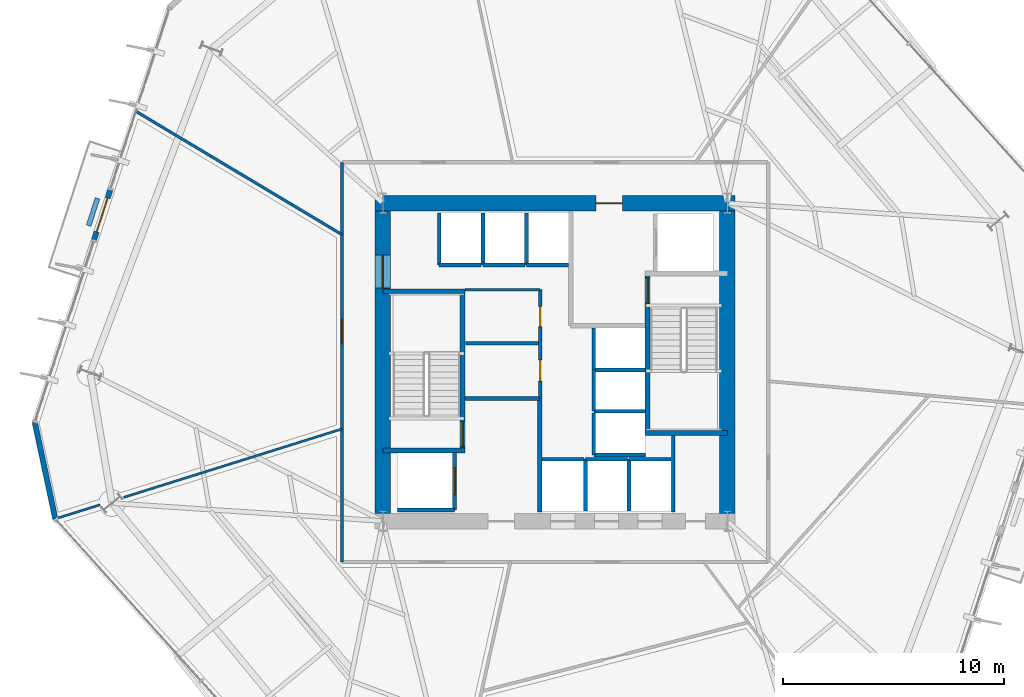
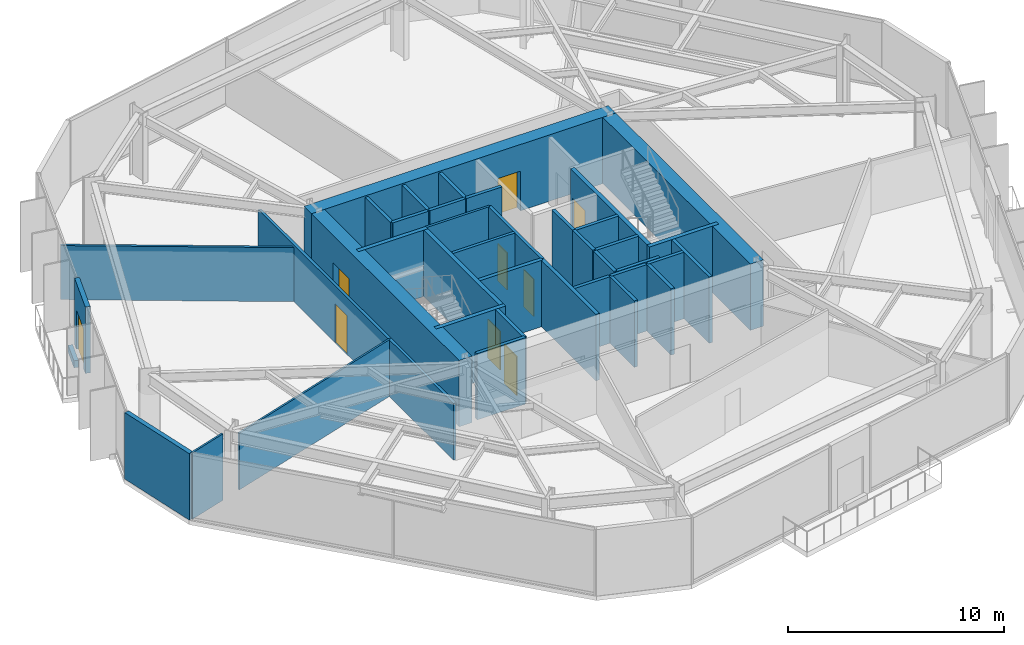
# One storey, part 6 of 10: 40 walls, 9 doors, 9 openings.
"""IFC4 building model written with IfcOpenShell, lengths in metres."""

from ifc_helpers import new_model, si_unit, direction, frame, frame_2d, origin, place, context, subcontext, project, spatial, rectangle, extrude, material, layer, layer_set, type_object, element, fill, save


model = new_model("IFC4")

# Units and contexts
model_context = context("Model", 3, precision=1e-05, world=origin(), true_north=direction((0.0, 1.0)))
body_context = subcontext(model_context, "Body", "Model", "MODEL_VIEW")
ifc_project = project(units=[si_unit("LENGTHUNIT", "METRE"), si_unit("AREAUNIT", "SQUARE_METRE"), si_unit("VOLUMEUNIT", "CUBIC_METRE"), si_unit("PLANEANGLEUNIT", "RADIAN"), si_unit("MASSUNIT", "GRAM", prefix="KILO")], contexts=[model_context])

# Site, building, storey
site_placement = place(None, origin())
site = spatial("IfcSite", under=ifc_project, at=site_placement, CompositionType="ELEMENT")
building_placement = place(site_placement, origin())
building = spatial("IfcBuilding", under=site, at=building_placement, Name="Kranzbogen Civic Tower", CompositionType="ELEMENT")
storey_placement = place(building_placement, frame((0.0, 0.0, 68.0)))
storey = spatial("IfcBuildingStorey", under=building, at=storey_placement, Name="L16", CompositionType="ELEMENT", Elevation=68.0)

# Wall, opening, door
ifc_material_1 = material(Name="Double-Stud Acoustic Gypsum Partition")
ifc_layer_1 = layer(ifc_material_1, 0.14990234375, Name="Double-Stud Acoustic Gypsum Partition")
ifc_layer_set_1 = layer_set([ifc_layer_1], Name="Double-Stud Acoustic Gypsum Partition")
wall_type_1 = type_object("IfcWallType", Name="Acoustic Corridor and Clinical Partition 150 mm", PredefinedType="PARTITIONING", material=ifc_layer_set_1)
wall_1_placement = place(storey_placement, frame((15.35009765625, 15.949951171875, 0.0), z_axis=(0.0, 0.0, 1.0), x_axis=(0.0, 1.0, 0.0)))
wall_1 = element("IfcWall", 1, at=wall_1_placement, inside=storey, type_object=wall_type_1, Name="L16 corridor partition 04", PredefinedType="PARTITIONING", context=body_context, shape_type="SweptSolid", body=[
    extrude(rectangle(XDim=18.10009765625, YDim=0.14990234375, at=frame_2d((9.050048828125, 0.0))), origin(), (0.0, 0.0, 1.0), 3.2099609375),
])
opening_1_placement = place(wall_1_placement, frame((9.885986328125, 0.0, 0.0)))
opening_1 = element("IfcOpeningElement", 2, at=opening_1_placement, cuts=wall_1, Name="Opening D-COR60", PredefinedType="OPENING", context=body_context, shape_type="SweptSolid", body=[
    extrude(rectangle(XDim=1.10009765625, YDim=2.199951171875, at=frame_2d((0.550048828125, 1.10009765625))), frame((0.0, 0.0849609375, 0.0), z_axis=(0.0, -1.0, 0.0), x_axis=(1.0, 0.0, 0.0)), (0.0, 0.0, 1.0), 0.169921875),
])
ifc_material_2 = material(Name="Oak Timber and Fire Core", Category="wood")
door_type_1 = type_object("IfcDoorType", Name="Corridor Acoustic Fire Door 1100x2200", OperationType="NOTDEFINED", PredefinedType="DOOR", material=ifc_material_2)
door_1_placement = place(opening_1_placement, origin())
door_1 = element("IfcDoor", 3, at=door_1_placement, inside=storey, type_object=door_type_1, Name="L16 Civic Reference Library door", OperationType="SINGLE_SWING_LEFT", OverallHeight=2.199951171875, OverallWidth=1.10009765625, PredefinedType="DOOR", context=body_context, shape_type="SweptSolid", body=[
    extrude(rectangle(XDim=1.10009765625, YDim=2.199951171875, at=frame_2d((0.550048828125, 1.10009765625))), frame((0.0, 0.02490234375, 0.0), z_axis=(0.0, -1.0, 0.0), x_axis=(1.0, 0.0, 0.0)), (0.0, 0.0, 1.0), 0.050048828125),
])
fill(opening_1, door_1)

# Walls
ifc_material_3 = material(Name="Insulated Metal-Stud Gypsum Partition")
ifc_layer_2 = layer(ifc_material_3, 0.125, Name="Insulated Metal-Stud Gypsum Partition")
ifc_layer_set_2 = layer_set([ifc_layer_2], Name="Insulated Metal-Stud Gypsum Partition")
wall_type_2 = type_object("IfcWallType", Name="Acoustic Inter-Room Partition 125 mm", PredefinedType="PARTITIONING", material=ifc_layer_set_2)
wall_2_placement = place(storey_placement, frame((20.919921875, 28.280029296875, 0.0), z_axis=(0.0, 0.0, 1.0), x_axis=(1.0, 0.0, 0.0)))
element("IfcWall", 4, at=wall_2_placement, inside=storey, type_object=wall_type_2, Name="L16 core auxiliary North wall", PredefinedType="PARTITIONING", context=body_context, shape_type="SweptSolid", body=[
    extrude(rectangle(XDim=3.405029296875, YDim=0.125, at=frame_2d((1.70263671875, 0.0))), origin(), (0.0, 0.0, 1.0), 3.760009765625),
])
wall_3_placement = place(storey_placement, frame((15.35009765625, 30.77294921875, 0.0), z_axis=(0.0, 0.0, 1.0), x_axis=(-0.858205730497, 0.513305877759, 0.0)))
element("IfcWall", 5, at=wall_3_placement, inside=storey, type_object=wall_type_2, Name="L16 radial room partition 03", PredefinedType="PARTITIONING", context=body_context, shape_type="SweptSolid", body=[
    extrude(rectangle(XDim=10.866943359375, YDim=0.125, at=frame_2d((5.43359375, 0.0))), origin(), (0.0, 0.0, 1.0), 3.06005859375),
])
ifc_material_4 = material(Name="Architectural Precast Terracotta Concrete C40/50", Category="masonry")
ifc_layer_3 = layer(ifc_material_4, 0.219970703125, Name="Architectural Precast Terracotta Concrete C40/50")
ifc_layer_set_3 = layer_set([ifc_layer_3], Name="Architectural Precast Terracotta Concrete C40/50")
wall_type_3 = type_object("IfcWallType", Name="Architectural Tree Planter Kerb Wall 220 mm", PredefinedType="USERDEFINED", material=ifc_layer_set_3)
wall_4_placement = place(storey_placement, frame((4.27294921875, 32.41796875, 0.0), z_axis=(0.0, 0.0, 1.0), x_axis=(-0.309175263073, -0.951005077118, 0.0)))
element("IfcWall", 6, at=wall_4_placement, inside=storey, type_object=wall_type_3, Name="L16 landscaped tree balcony planter L16-TB1", ObjectType="PLANTER_WALL", PredefinedType="USERDEFINED", context=body_context, shape_type="SweptSolid", body=[
    extrude(rectangle(XDim=1.2998046875, YDim=0.219970703125, at=frame_2d((0.64990234375, 0.0))), origin(), (0.0, 0.0, 1.0), 0.39990234375),
])

# Wall, opening, door
ifc_material_5 = material(Name="Concrete C55/67", Category="concrete")
ifc_layer_4 = layer(ifc_material_5, 0.699951171875, Name="Concrete C55/67")
ifc_layer_set_4 = layer_set([ifc_layer_4], Name="Concrete C55/67")
wall_type_4 = type_object("IfcWallType", Name="Central Core Shear Wall 700 mm", PredefinedType="SHEAR", material=ifc_layer_set_4)
wall_5_placement = place(storey_placement, frame((33.14990234375, 32.199951171875, 0.0), z_axis=(0.0, 0.0, 1.0), x_axis=(-1.0, 0.0, 0.0)))
wall_5 = element("IfcWall", 7, at=wall_5_placement, inside=storey, type_object=wall_type_4, Name="L16 central core North shear wall", PredefinedType="SHEAR", context=body_context, shape_type="SweptSolid", body=[
    extrude(rectangle(XDim=16.2998046875, YDim=0.699951171875, at=frame_2d((8.14990234375, 0.0))), origin(), (0.0, 0.0, 1.0), 3.760009765625),
])
opening_2_placement = place(wall_5_placement, frame((5.10009765625, 0.0, 0.0)))
opening_2 = element("IfcOpeningElement", 8, at=opening_2_placement, cuts=wall_5, Name="Opening D-EX120", PredefinedType="OPENING", context=body_context, shape_type="SweptSolid", body=[
    extrude(rectangle(XDim=1.199951171875, YDim=2.25, at=frame_2d((0.60009765625, 1.125))), frame((0.0, 0.35986328125, 0.0), z_axis=(0.0, -1.0, 0.0), x_axis=(1.0, 0.0, 0.0)), (0.0, 0.0, 1.0), 0.719970703125),
])
ifc_material_6 = material(Name="Steel S355", Category="steel")
door_type_2 = type_object("IfcDoorType", Name="Exit Passageway Fire Door 1200x2250", OperationType="NOTDEFINED", PredefinedType="DOOR", material=ifc_material_6)
door_2_placement = place(opening_2_placement, origin())
door_2 = element("IfcDoor", 9, at=door_2_placement, inside=storey, type_object=door_type_2, Name="L16 East firefighting lobby corridor door", OperationType="SINGLE_SWING_LEFT", OverallHeight=2.25, OverallWidth=1.199951171875, PredefinedType="DOOR", context=body_context, shape_type="SweptSolid", body=[
    extrude(rectangle(XDim=1.199951171875, YDim=2.25, at=frame_2d((0.60009765625, 1.125))), frame((0.0, 0.02490234375, 0.0), z_axis=(0.0, -1.0, 0.0), x_axis=(1.0, 0.0, 0.0)), (0.0, 0.0, 1.0), 0.050048828125),
])
fill(opening_2, door_2)

wall_6_placement = place(storey_placement, frame((17.199951171875, 31.85009765625, 0.0), z_axis=(0.0, 0.0, 1.0), x_axis=(0.0, -1.0, 0.0)))
wall_6 = element("IfcWall", 10, at=wall_6_placement, inside=storey, type_object=wall_type_4, Name="L16 central core West shear wall", PredefinedType="SHEAR", context=body_context, shape_type="SweptSolid", body=[
    extrude(rectangle(XDim=13.7001953125, YDim=0.699951171875, at=frame_2d((6.85009765625, 0.0))), origin(), (0.0, 0.0, 1.0), 3.760009765625),
])
opening_3_placement = place(wall_6_placement, frame((2.0, 0.0, 0.0)))
opening_3 = element("IfcOpeningElement", 11, at=opening_3_placement, cuts=wall_6, Name="Opening D-DBL15", PredefinedType="OPENING", context=body_context, shape_type="SweptSolid", body=[
    extrude(rectangle(XDim=1.5, YDim=2.199951171875, at=frame_2d((0.75, 1.10009765625))), frame((0.0, 0.35986328125, 0.0), z_axis=(0.0, -1.0, 0.0), x_axis=(1.0, 0.0, 0.0)), (0.0, 0.0, 1.0), 0.719970703125),
])
ifc_material_7 = material(Name="Anodised Bronze and Glass", Category="glass")
door_type_3 = type_object("IfcDoorType", Name="Civic Lobby Double Door 1500x2200", OperationType="DOUBLE_DOOR_SINGLE_SWING", PredefinedType="DOOR", material=ifc_material_7)
door_3_placement = place(opening_3_placement, origin())
door_3 = element("IfcDoor", 12, at=door_3_placement, inside=storey, type_object=door_type_3, Name="L16 Central Lift Lobby West concourse door", OperationType="DOUBLE_DOOR_SINGLE_SWING", OverallHeight=2.199951171875, OverallWidth=1.5, PredefinedType="DOOR", context=body_context, shape_type="SweptSolid", body=[
    extrude(rectangle(XDim=1.5, YDim=2.199951171875, at=frame_2d((0.75, 1.10009765625))), frame((0.0, 0.02490234375, 0.0), z_axis=(0.0, -1.0, 0.0), x_axis=(1.0, 0.0, 0.0)), (0.0, 0.0, 1.0), 0.050048828125),
])
fill(opening_3, door_3)

# Wall
wall_7_placement = place(storey_placement, frame((32.800048828125, 18.14990234375, 0.0), z_axis=(0.0, 0.0, 1.0), x_axis=(0.0, 1.0, 0.0)))
element("IfcWall", 13, at=wall_7_placement, inside=storey, type_object=wall_type_4, Name="L16 central core East shear wall", PredefinedType="SHEAR", context=body_context, shape_type="SweptSolid", body=[
    extrude(rectangle(XDim=13.7001953125, YDim=0.699951171875, at=frame_2d((6.85009765625, 0.0))), origin(), (0.0, 0.0, 1.0), 3.760009765625),
])

# Wall, opening, door
ifc_material_8 = material(Name="Concrete C45/55", Category="concrete")
ifc_layer_5 = layer(ifc_material_8, 0.219970703125, Name="Concrete C45/55")
ifc_layer_set_5 = layer_set([ifc_layer_5], Name="Concrete C45/55")
wall_type_5 = type_object("IfcWallType", Name="Core Internal Stair Structural Wall 220 mm", PredefinedType="SOLIDWALL", material=ifc_layer_set_5)
wall_8_placement = place(storey_placement, frame((20.81005859375, 20.989990234375, 0.0), z_axis=(0.0, 0.0, 1.0), x_axis=(0.0, 1.0, 0.0)))
wall_8 = element("IfcWall", 14, at=wall_8_placement, inside=storey, type_object=wall_type_5, Name="L16 ST-T1 East structural stair wall", PredefinedType="SOLIDWALL", context=body_context, shape_type="SweptSolid", body=[
    extrude(rectangle(XDim=7.219970703125, YDim=0.219970703125, at=frame_2d((3.60986328125, 0.0))), origin(), (0.0, 0.0, 1.0), 3.760009765625),
])
opening_4_placement = place(wall_8_placement, frame((0.179931640625, 0.0, 0.0)))
opening_4 = element("IfcOpeningElement", 15, at=opening_4_placement, cuts=wall_8, Name="Opening D-ST90", PredefinedType="OPENING", context=body_context, shape_type="SweptSolid", body=[
    extrude(rectangle(XDim=1.14990234375, YDim=2.199951171875, at=frame_2d((0.574951171875, 1.10009765625))), frame((0.0, 0.1201171875, 0.0), z_axis=(0.0, -1.0, 0.0), x_axis=(1.0, 0.0, 0.0)), (0.0, 0.0, 1.0), 0.239990234375),
])
door_type_4 = type_object("IfcDoorType", Name="Pressurized Stair and Lobby Fire Door 1150x2200", OperationType="NOTDEFINED", PredefinedType="DOOR", material=ifc_material_6)
door_4_placement = place(opening_4_placement, origin())
door_4 = element("IfcDoor", 16, at=door_4_placement, inside=storey, type_object=door_type_4, Name="L16 Stair ST-T1 fire door", OperationType="SINGLE_SWING_RIGHT", OverallHeight=2.199951171875, OverallWidth=1.14990234375, PredefinedType="DOOR", context=body_context, shape_type="SweptSolid", body=[
    extrude(rectangle(XDim=1.14990234375, YDim=2.199951171875, at=frame_2d((0.574951171875, 1.10009765625))), frame((0.0, 0.02490234375, 0.0), z_axis=(0.0, -1.0, 0.0), x_axis=(1.0, 0.0, 0.0)), (0.0, 0.0, 1.0), 0.050048828125),
])
fill(opening_4, door_4)

# Walls
for number, where, z_axis, x_axis, name in (
    (17, (17.199951171875, 20.989990234375, 0.0), (0.0, 0.0, 1.0), (1.0, 0.0, 0.0), "L16 ST-T1 South structural stair wall"),
    (18, (17.199951171875, 28.2099609375, 0.0), (0.0, 0.0, 1.0), (1.0, 0.0, 0.0), "L16 ST-T1 North structural stair wall"),
):
    element("IfcWall", number, at=place(storey_placement, frame(where, z_axis=z_axis, x_axis=x_axis)), inside=storey, type_object=wall_type_5, Name=name, PredefinedType="SOLIDWALL", context=body_context, shape_type="SweptSolid", body=[
        extrude(rectangle(XDim=3.719970703125, YDim=0.219970703125, at=frame_2d((1.85986328125, 0.0))), origin(), (0.0, 0.0, 1.0), 3.760009765625),
    ])

# Wall, opening, door
wall_9_placement = place(storey_placement, frame((29.18994140625, 21.7900390625, 0.0), z_axis=(0.0, 0.0, 1.0), x_axis=(0.0, 1.0, 0.0)))
wall_9 = element("IfcWall", 19, at=wall_9_placement, inside=storey, type_object=wall_type_5, Name="L16 ST-T2 West structural stair wall", PredefinedType="SOLIDWALL", context=body_context, shape_type="SweptSolid", body=[
    extrude(rectangle(XDim=7.219970703125, YDim=0.219970703125, at=frame_2d((3.60986328125, 0.0))), origin(), (0.0, 0.0, 1.0), 3.760009765625),
])
opening_5_placement = place(wall_9_placement, frame((5.8798828125, 0.0, 0.0)))
opening_5 = element("IfcOpeningElement", 20, at=opening_5_placement, cuts=wall_9, Name="Opening D-ST90", PredefinedType="OPENING", context=body_context, shape_type="SweptSolid", body=[
    extrude(rectangle(XDim=1.14990234375, YDim=2.199951171875, at=frame_2d((0.574951171875, 1.10009765625))), frame((0.0, 0.1201171875, 0.0), z_axis=(0.0, -1.0, 0.0), x_axis=(1.0, 0.0, 0.0)), (0.0, 0.0, 1.0), 0.239990234375),
])
door_5_placement = place(opening_5_placement, origin())
door_5 = element("IfcDoor", 21, at=door_5_placement, inside=storey, type_object=door_type_4, Name="L16 Stair ST-T2 fire door", OperationType="SINGLE_SWING_LEFT", OverallHeight=2.199951171875, OverallWidth=1.14990234375, PredefinedType="DOOR", context=body_context, shape_type="SweptSolid", body=[
    extrude(rectangle(XDim=1.14990234375, YDim=2.199951171875, at=frame_2d((0.574951171875, 1.10009765625))), frame((0.0, 0.02490234375, 0.0), z_axis=(0.0, -1.0, 0.0), x_axis=(1.0, 0.0, 0.0)), (0.0, 0.0, 1.0), 0.050048828125),
])
fill(opening_5, door_5)

# Walls
wall_10_placement = place(storey_placement, frame((29.080078125, 21.7900390625, 0.0), z_axis=(0.0, 0.0, 1.0), x_axis=(1.0, 0.0, 0.0)))
element("IfcWall", 22, at=wall_10_placement, inside=storey, type_object=wall_type_5, Name="L16 ST-T2 South structural stair wall", PredefinedType="SOLIDWALL", context=body_context, shape_type="SweptSolid", body=[
    extrude(rectangle(XDim=3.719970703125, YDim=0.219970703125, at=frame_2d((1.85986328125, 0.0))), origin(), (0.0, 0.0, 1.0), 3.760009765625),
])
ifc_material_9 = material(Name="Demountable Aluminium and Gypsum Partition", Category="aluminium")
ifc_layer_6 = layer(ifc_material_9, 0.10009765625, Name="Demountable Aluminium and Gypsum Partition")
ifc_layer_set_6 = layer_set([ifc_layer_6], Name="Demountable Aluminium and Gypsum Partition")
wall_type_6 = type_object("IfcWallType", Name="Demountable Office Partition 100 mm", PredefinedType="MOVABLE", material=ifc_layer_set_6)
wall_11_placement = place(storey_placement, frame((15.35009765625, 21.97412109375, 0.0), z_axis=(0.0, 0.0, 1.0), x_axis=(-0.954204822742, -0.299154067757, 0.0)))
element("IfcWall", 23, at=wall_11_placement, inside=storey, type_object=wall_type_6, Name="L16 radial room partition 04 part 1", PredefinedType="MOVABLE", context=body_context, shape_type="SweptSolid", body=[
    extrude(rectangle(XDim=10.3564453125, YDim=0.10009765625, at=frame_2d((5.17822265625, 0.0))), origin(), (0.0, 0.0, 1.0), 3.2099609375),
])
wall_12_placement = place(storey_placement, frame((4.387939453125, 18.537109375, 0.0), z_axis=(0.0, 0.0, 1.0), x_axis=(-0.954206927471, -0.299147354269, 0.0)))
element("IfcWall", 24, at=wall_12_placement, inside=storey, type_object=wall_type_6, Name="L16 radial room partition 04 part 2", PredefinedType="MOVABLE", context=body_context, shape_type="SweptSolid", body=[
    extrude(rectangle(XDim=2.10302734375, YDim=0.10009765625, at=frame_2d((1.051513671875, 0.0))), origin(), (0.0, 0.0, 1.0), 3.760009765625),
])
ifc_material_10 = material(Name="Gypsum Fireboard and Concrete Block", Category="concrete")
ifc_layer_7 = layer(ifc_material_10, 0.199951171875, Name="Gypsum Fireboard and Concrete Block")
ifc_layer_set_7 = layer_set([ifc_layer_7], Name="Gypsum Fireboard and Concrete Block")
wall_type_7 = type_object("IfcWallType", Name="Fire-Rated Exit Passageway and Stair Wall 200 mm", PredefinedType="PARTITIONING", material=ifc_layer_set_7)
wall_13_placement = place(storey_placement, frame((24.300048828125, 18.199951171875, 0.0), z_axis=(0.0, 0.0, 1.0), x_axis=(0.0, 1.0, 0.0)))
element("IfcWall", 25, at=wall_13_placement, inside=storey, type_object=wall_type_7, Name="L16 West firefighting lobby East wall", PredefinedType="PARTITIONING", context=body_context, shape_type="SweptSolid", body=[
    extrude(rectangle(XDim=5.150146484375, YDim=0.199951171875, at=frame_2d((2.5751953125, 0.0))), origin(), (0.0, 0.0, 1.0), 3.760009765625),
])
wall_14_placement = place(storey_placement, frame((20.919921875, 23.35009765625, 0.0), z_axis=(0.0, 0.0, 1.0), x_axis=(1.0, 0.0, 0.0)))
element("IfcWall", 26, at=wall_14_placement, inside=storey, type_object=wall_type_7, Name="L16 West firefighting lobby North wall", PredefinedType="PARTITIONING", context=body_context, shape_type="SweptSolid", body=[
    extrude(rectangle(XDim=3.380126953125, YDim=0.199951171875, at=frame_2d((1.68994140625, 0.0))), origin(), (0.0, 0.0, 1.0), 3.760009765625),
])
ifc_material_11 = material(Name="Gypsum Fireboard Shaftliner")
ifc_layer_8 = layer(ifc_material_11, 0.175048828125, Name="Gypsum Fireboard Shaftliner")
ifc_layer_set_8 = layer_set([ifc_layer_8], Name="Gypsum Fireboard Shaftliner")
wall_type_8 = type_object("IfcWallType", Name="Fire-Rated Lift and Service Shaft Wall 175 mm", PredefinedType="PARTITIONING", material=ifc_layer_set_8)
wall_15_placement = place(storey_placement, frame((30.35009765625, 18.199951171875, 0.0), z_axis=(0.0, 0.0, 1.0), x_axis=(0.0, 1.0, 0.0)))
element("IfcWall", 27, at=wall_15_placement, inside=storey, type_object=wall_type_8, Name="L16 East core riser West wall", PredefinedType="PARTITIONING", context=body_context, shape_type="SweptSolid", body=[
    extrude(rectangle(XDim=3.47998046875, YDim=0.175048828125, at=frame_2d((1.739990234375, 0.0))), origin(), (0.0, 0.0, 1.0), 3.760009765625),
])
wall_16_placement = place(storey_placement, frame((24.39990234375, 20.60009765625, 0.0), z_axis=(0.0, 0.0, 1.0), x_axis=(1.0, 0.0, 0.0)))
element("IfcWall", 28, at=wall_16_placement, inside=storey, type_object=wall_type_8, Name="L16 lift LP-01 rear wall", PredefinedType="PARTITIONING", context=body_context, shape_type="SweptSolid", body=[
    extrude(rectangle(XDim=1.900146484375, YDim=0.175048828125, at=frame_2d((0.9501953125, 0.0))), origin(), (0.0, 0.0, 1.0), 3.760009765625),
])
wall_17_placement = place(storey_placement, frame((26.375, 20.60009765625, 0.0), z_axis=(0.0, 0.0, 1.0), x_axis=(1.0, 0.0, 0.0)))
element("IfcWall", 29, at=wall_17_placement, inside=storey, type_object=wall_type_8, Name="L16 lift LP-02 rear wall", PredefinedType="PARTITIONING", context=body_context, shape_type="SweptSolid", body=[
    extrude(rectangle(XDim=1.89990234375, YDim=0.175048828125, at=frame_2d((0.949951171875, 0.0))), origin(), (0.0, 0.0, 1.0), 3.760009765625),
])
wall_18_placement = place(storey_placement, frame((26.375, 18.25, 0.0), z_axis=(0.0, 0.0, 1.0), x_axis=(0.0, 1.0, 0.0)))
element("IfcWall", 30, at=wall_18_placement, inside=storey, type_object=wall_type_8, Name="L16 lift LP-02 side wall", PredefinedType="PARTITIONING", context=body_context, shape_type="SweptSolid", body=[
    extrude(rectangle(XDim=2.35009765625, YDim=0.175048828125, at=frame_2d((1.175048828125, 0.0))), origin(), (0.0, 0.0, 1.0), 3.760009765625),
])
wall_19_placement = place(storey_placement, frame((28.35009765625, 20.60009765625, 0.0), z_axis=(0.0, 0.0, 1.0), x_axis=(1.0, 0.0, 0.0)))
element("IfcWall", 31, at=wall_19_placement, inside=storey, type_object=wall_type_8, Name="L16 lift LP-03 rear wall", PredefinedType="PARTITIONING", context=body_context, shape_type="SweptSolid", body=[
    extrude(rectangle(XDim=1.89990234375, YDim=0.175048828125, at=frame_2d((0.949951171875, 0.0))), origin(), (0.0, 0.0, 1.0), 3.760009765625),
])
wall_20_placement = place(storey_placement, frame((28.35009765625, 18.25, 0.0), z_axis=(0.0, 0.0, 1.0), x_axis=(0.0, 1.0, 0.0)))
element("IfcWall", 32, at=wall_20_placement, inside=storey, type_object=wall_type_8, Name="L16 lift LP-03 side wall", PredefinedType="PARTITIONING", context=body_context, shape_type="SweptSolid", body=[
    extrude(rectangle(XDim=2.35009765625, YDim=0.175048828125, at=frame_2d((1.175048828125, 0.0))), origin(), (0.0, 0.0, 1.0), 3.760009765625),
])
wall_21_placement = place(storey_placement, frame((19.75, 29.39990234375, 0.0), z_axis=(0.0, 0.0, 1.0), x_axis=(1.0, 0.0, 0.0)))
element("IfcWall", 33, at=wall_21_placement, inside=storey, type_object=wall_type_8, Name="L16 lift MP-01 rear wall", PredefinedType="PARTITIONING", context=body_context, shape_type="SweptSolid", body=[
    extrude(rectangle(XDim=1.89990234375, YDim=0.175048828125, at=frame_2d((0.949951171875, 0.0))), origin(), (0.0, 0.0, 1.0), 3.760009765625),
])
wall_22_placement = place(storey_placement, frame((19.75, 29.39990234375, 0.0), z_axis=(0.0, 0.0, 1.0), x_axis=(0.0, 1.0, 0.0)))
element("IfcWall", 34, at=wall_22_placement, inside=storey, type_object=wall_type_8, Name="L16 lift MP-01 side wall", PredefinedType="PARTITIONING", context=body_context, shape_type="SweptSolid", body=[
    extrude(rectangle(XDim=2.35009765625, YDim=0.175048828125, at=frame_2d((1.175048828125, 0.0))), origin(), (0.0, 0.0, 1.0), 3.760009765625),
])
wall_23_placement = place(storey_placement, frame((21.72509765625, 29.39990234375, 0.0), z_axis=(0.0, 0.0, 1.0), x_axis=(1.0, 0.0, 0.0)))
element("IfcWall", 35, at=wall_23_placement, inside=storey, type_object=wall_type_8, Name="L16 lift MP-02 rear wall", PredefinedType="PARTITIONING", context=body_context, shape_type="SweptSolid", body=[
    extrude(rectangle(XDim=1.89990234375, YDim=0.175048828125, at=frame_2d((0.949951171875, 0.0))), origin(), (0.0, 0.0, 1.0), 3.760009765625),
])
wall_24_placement = place(storey_placement, frame((21.72509765625, 29.39990234375, 0.0), z_axis=(0.0, 0.0, 1.0), x_axis=(0.0, 1.0, 0.0)))
element("IfcWall", 36, at=wall_24_placement, inside=storey, type_object=wall_type_8, Name="L16 lift MP-02 side wall", PredefinedType="PARTITIONING", context=body_context, shape_type="SweptSolid", body=[
    extrude(rectangle(XDim=2.35009765625, YDim=0.175048828125, at=frame_2d((1.175048828125, 0.0))), origin(), (0.0, 0.0, 1.0), 3.760009765625),
])
wall_25_placement = place(storey_placement, frame((23.699951171875, 29.39990234375, 0.0), z_axis=(0.0, 0.0, 1.0), x_axis=(1.0, 0.0, 0.0)))
element("IfcWall", 37, at=wall_25_placement, inside=storey, type_object=wall_type_8, Name="L16 lift MP-03 rear wall", PredefinedType="PARTITIONING", context=body_context, shape_type="SweptSolid", body=[
    extrude(rectangle(XDim=1.900146484375, YDim=0.175048828125, at=frame_2d((0.9501953125, 0.0))), origin(), (0.0, 0.0, 1.0), 3.760009765625),
])
wall_26_placement = place(storey_placement, frame((23.699951171875, 29.39990234375, 0.0), z_axis=(0.0, 0.0, 1.0), x_axis=(0.0, 1.0, 0.0)))
element("IfcWall", 38, at=wall_26_placement, inside=storey, type_object=wall_type_8, Name="L16 lift MP-03 side wall", PredefinedType="PARTITIONING", context=body_context, shape_type="SweptSolid", body=[
    extrude(rectangle(XDim=2.35009765625, YDim=0.175048828125, at=frame_2d((1.175048828125, 0.0))), origin(), (0.0, 0.0, 1.0), 3.760009765625),
])
wall_27_placement = place(storey_placement, frame((26.75, 20.800048828125, 0.0), z_axis=(0.0, 0.0, 1.0), x_axis=(0.0, 1.0, 0.0)))
element("IfcWall", 39, at=wall_27_placement, inside=storey, type_object=wall_type_8, Name="L16 lift HP-01 landing wall", PredefinedType="PARTITIONING", context=body_context, shape_type="SweptSolid", body=[
    extrude(rectangle(XDim=1.89990234375, YDim=0.175048828125, at=frame_2d((0.949951171875, 0.0))), origin(), (0.0, 0.0, 1.0), 3.760009765625),
])
wall_28_placement = place(storey_placement, frame((26.75, 20.800048828125, 0.0), z_axis=(0.0, 0.0, 1.0), x_axis=(1.0, 0.0, 0.0)))
element("IfcWall", 40, at=wall_28_placement, inside=storey, type_object=wall_type_8, Name="L16 lift HP-01 side wall", PredefinedType="PARTITIONING", context=body_context, shape_type="SweptSolid", body=[
    extrude(rectangle(XDim=2.35009765625, YDim=0.175048828125, at=frame_2d((1.175048828125, 0.0))), origin(), (0.0, 0.0, 1.0), 3.760009765625),
])
wall_29_placement = place(storey_placement, frame((26.75, 22.77490234375, 0.0), z_axis=(0.0, 0.0, 1.0), x_axis=(0.0, 1.0, 0.0)))
element("IfcWall", 41, at=wall_29_placement, inside=storey, type_object=wall_type_8, Name="L16 lift HP-02 landing wall", PredefinedType="PARTITIONING", context=body_context, shape_type="SweptSolid", body=[
    extrude(rectangle(XDim=1.900146484375, YDim=0.175048828125, at=frame_2d((0.9501953125, 0.0))), origin(), (0.0, 0.0, 1.0), 3.760009765625),
])
wall_30_placement = place(storey_placement, frame((26.75, 22.77490234375, 0.0), z_axis=(0.0, 0.0, 1.0), x_axis=(1.0, 0.0, 0.0)))
element("IfcWall", 42, at=wall_30_placement, inside=storey, type_object=wall_type_8, Name="L16 lift HP-02 side wall", PredefinedType="PARTITIONING", context=body_context, shape_type="SweptSolid", body=[
    extrude(rectangle(XDim=2.35009765625, YDim=0.175048828125, at=frame_2d((1.175048828125, 0.0))), origin(), (0.0, 0.0, 1.0), 3.760009765625),
])
wall_31_placement = place(storey_placement, frame((26.75, 24.64990234375, 0.0), z_axis=(0.0, 0.0, 1.0), x_axis=(0.0, 1.0, 0.0)))
element("IfcWall", 43, at=wall_31_placement, inside=storey, type_object=wall_type_8, Name="L16 lift HP-03 landing wall", PredefinedType="PARTITIONING", context=body_context, shape_type="SweptSolid", body=[
    extrude(rectangle(XDim=1.900146484375, YDim=0.175048828125, at=frame_2d((0.9501953125, 0.0))), origin(), (0.0, 0.0, 1.0), 3.760009765625),
])
wall_32_placement = place(storey_placement, frame((26.75, 24.64990234375, 0.0), z_axis=(0.0, 0.0, 1.0), x_axis=(1.0, 0.0, 0.0)))
element("IfcWall", 44, at=wall_32_placement, inside=storey, type_object=wall_type_8, Name="L16 lift HP-03 side wall", PredefinedType="PARTITIONING", context=body_context, shape_type="SweptSolid", body=[
    extrude(rectangle(XDim=2.35009765625, YDim=0.175048828125, at=frame_2d((1.175048828125, 0.0))), origin(), (0.0, 0.0, 1.0), 3.760009765625),
])

# Wall, opening, door
wall_33_placement = place(storey_placement, frame((20.449951171875, 18.300048828125, 0.0), z_axis=(0.0, 0.0, 1.0), x_axis=(0.0, 1.0, 0.0)))
wall_33 = element("IfcWall", 45, at=wall_33_placement, inside=storey, type_object=wall_type_8, Name="L16 lift FF-01 landing wall", PredefinedType="PARTITIONING", context=body_context, shape_type="SweptSolid", body=[
    extrude(rectangle(XDim=2.599853515625, YDim=0.175048828125, at=frame_2d((1.2998046875, 0.0))), origin(), (0.0, 0.0, 1.0), 3.760009765625),
])
opening_6_placement = place(wall_33_placement, frame((0.699951171875, 0.0, 0.0)))
opening_6 = element("IfcOpeningElement", 46, at=opening_6_placement, cuts=wall_33, Name="Opening LD-FF-01", PredefinedType="OPENING", context=body_context, shape_type="SweptSolid", body=[
    extrude(rectangle(XDim=1.199951171875, YDim=2.199951171875, at=frame_2d((0.60009765625, 1.10009765625))), frame((0.0, 0.09765625, 0.0), z_axis=(0.0, -1.0, 0.0), x_axis=(1.0, 0.0, 0.0)), (0.0, 0.0, 1.0), 0.195068359375),
])
ifc_material_12 = material(Name="Pale Anodised Aluminium", Category="aluminium")
door_type_5 = type_object("IfcDoorType", Name="Firefighting and Stretcher Lift Sliding Landing Door 1200x2200", OperationType="DOUBLE_DOOR_SLIDING", PredefinedType="DOOR", material=ifc_material_12)
door_6_placement = place(opening_6_placement, origin())
door_6 = element("IfcDoor", 47, at=door_6_placement, inside=storey, type_object=door_type_5, Name="L16 lift FF-01 sliding landing door", OperationType="DOUBLE_DOOR_SLIDING", OverallHeight=2.199951171875, OverallWidth=1.199951171875, PredefinedType="DOOR", context=body_context, shape_type="SweptSolid", body=[
    extrude(rectangle(XDim=1.199951171875, YDim=2.199951171875, at=frame_2d((0.60009765625, 1.10009765625))), frame((0.0, 0.02490234375, 0.0), z_axis=(0.0, -1.0, 0.0), x_axis=(1.0, 0.0, 0.0)), (0.0, 0.0, 1.0), 0.050048828125),
])
fill(opening_6, door_6)

# Wall
wall_34_placement = place(storey_placement, frame((17.85009765625, 18.300048828125, 0.0), z_axis=(0.0, 0.0, 1.0), x_axis=(1.0, 0.0, 0.0)))
element("IfcWall", 48, at=wall_34_placement, inside=storey, type_object=wall_type_8, Name="L16 lift FF-01 side wall", PredefinedType="PARTITIONING", context=body_context, shape_type="SweptSolid", body=[
    extrude(rectangle(XDim=2.599853515625, YDim=0.175048828125, at=frame_2d((1.2998046875, 0.0))), origin(), (0.0, 0.0, 1.0), 3.760009765625),
])

# Wall, opening, door
ifc_layer_9 = layer(ifc_material_12, 0.239990234375, Name="Pale Anodised Aluminium")
ifc_layer_set_9 = layer_set([ifc_layer_9], Name="Pale Anodised Aluminium")
wall_type_9 = type_object("IfcWallType", Name="Insulated Aluminium Facade Portal Wall 240 mm", PredefinedType="STANDARD", material=ifc_layer_set_9)
wall_35_placement = place(storey_placement, frame((4.85400390625, 32.80810546875, 0.0), z_axis=(0.0, 0.0, 1.0), x_axis=(-0.309049280464, -0.951046025303, 0.0)))
wall_35 = element("IfcWall", 49, at=wall_35_placement, inside=storey, type_object=wall_type_9, Name="L16 exterior entrance portal wall 1", PredefinedType="STANDARD", context=body_context, shape_type="SweptSolid", body=[
    extrude(rectangle(XDim=2.400634765625, YDim=0.239990234375, at=frame_2d((1.2001953125, 0.0))), origin(), (0.0, 0.0, 1.0), 3.760009765625),
])
opening_7_placement = place(wall_35_placement, frame((0.39990234375, 0.0, 0.0)))
opening_7 = element("IfcOpeningElement", 50, at=opening_7_placement, cuts=wall_35, Name="Opening D-TER", PredefinedType="OPENING", context=body_context, shape_type="SweptSolid", body=[
    extrude(rectangle(XDim=1.60009765625, YDim=2.25, at=frame_2d((0.800048828125, 1.125))), frame((0.0, 0.1298828125, 0.0), z_axis=(0.0, -1.0, 0.0), x_axis=(1.0, 0.0, 0.0)), (0.0, 0.0, 1.0), 0.260009765625),
])
ifc_material_13 = material(Name="Anodised Bronze and Triple Glass", Category="glass")
door_type_6 = type_object("IfcDoorType", Name="Glazed Terrace and Balcony Double Door 1600x2250", OperationType="DOUBLE_DOOR_SINGLE_SWING", PredefinedType="DOOR", material=ifc_material_13)
door_7_placement = place(opening_7_placement, frame((1.60009765625, 0.0, 0.0), z_axis=(0.0, 0.0, 1.0), x_axis=(-1.0, 0.0, 0.0)))
door_7 = element("IfcDoor", 51, at=door_7_placement, inside=storey, type_object=door_type_6, Name="L16 tree balcony access door L16-TB1", OperationType="DOUBLE_DOOR_SINGLE_SWING", OverallHeight=2.25, OverallWidth=1.60009765625, PredefinedType="DOOR", context=body_context, shape_type="SweptSolid", body=[
    extrude(rectangle(XDim=1.60009765625, YDim=2.25, at=frame_2d((0.800048828125, 1.125))), frame((0.0, 0.02490234375, 0.0), z_axis=(0.0, -1.0, 0.0), x_axis=(1.0, 0.0, 0.0)), (0.0, 0.0, 1.0), 0.050048828125),
])
fill(opening_7, door_7)

# Wall
wall_36_placement = place(storey_placement, frame((1.431884765625, 22.277099609375, 0.0), z_axis=(0.0, 0.0, 1.0), x_axis=(0.20817208226, -0.978092216597, 0.0)))
element("IfcWall", 52, at=wall_36_placement, inside=storey, type_object=wall_type_9, Name="L16 chamfered corner facade spandrel 3", PredefinedType="STANDARD", context=body_context, shape_type="SweptSolid", body=[
    extrude(rectangle(XDim=4.472900390625, YDim=0.239990234375, at=frame_2d((2.236328125, 0.0))), origin(), (0.0, 0.0, 1.0), 3.760009765625),
])

# Wall, openings, doors
ifc_material_14 = material(Name="Moisture-Resistant Gypsum Assembly")
ifc_layer_10 = layer(ifc_material_14, 0.159912109375, Name="Moisture-Resistant Gypsum Assembly")
ifc_layer_set_10 = layer_set([ifc_layer_10], Name="Moisture-Resistant Gypsum Assembly")
wall_type_10 = type_object("IfcWallType", Name="Sanitary and Plumbing Wet Wall 160 mm", PredefinedType="PLUMBINGWALL", material=ifc_layer_set_10)
wall_37_placement = place(storey_placement, frame((24.324951171875, 23.35009765625, 0.0), z_axis=(0.0, 0.0, 1.0), x_axis=(0.0, 1.0, 0.0)))
wall_37 = element("IfcWall", 53, at=wall_37_placement, inside=storey, type_object=wall_type_10, Name="L16 core auxiliary East wall", PredefinedType="PLUMBINGWALL", context=body_context, shape_type="SweptSolid", body=[
    extrude(rectangle(XDim=4.929931640625, YDim=0.159912109375, at=frame_2d((2.46484375, 0.0))), origin(), (0.0, 0.0, 1.0), 3.760009765625),
])
opening_8_placement = place(wall_37_placement, frame((0.800048828125, 0.0, 0.0)))
opening_8 = element("IfcOpeningElement", 54, at=opening_8_placement, cuts=wall_37, Name="Opening D-AWC95", PredefinedType="OPENING", context=body_context, shape_type="SweptSolid", body=[
    extrude(rectangle(XDim=0.949951171875, YDim=2.10009765625, at=frame_2d((0.47509765625, 1.050048828125))), frame((0.0, 0.08984375, 0.0), z_axis=(0.0, -1.0, 0.0), x_axis=(1.0, 0.0, 0.0)), (0.0, 0.0, 1.0), 0.179931640625),
])
opening_9_placement = place(wall_37_placement, frame((3.260009765625, 0.0, 0.0)))
opening_9 = element("IfcOpeningElement", 55, at=opening_9_placement, cuts=wall_37, Name="Opening D-WC90", PredefinedType="OPENING", context=body_context, shape_type="SweptSolid", body=[
    extrude(rectangle(XDim=0.89990234375, YDim=2.10009765625, at=frame_2d((0.449951171875, 1.050048828125))), frame((0.0, 0.08984375, 0.0), z_axis=(0.0, -1.0, 0.0), x_axis=(1.0, 0.0, 0.0)), (0.0, 0.0, 1.0), 0.179931640625),
])
ifc_material_15 = material(Name="Moisture-Resistant Laminate")
door_type_7 = type_object("IfcDoorType", Name="Accessible Restroom Door 950x2100", OperationType="NOTDEFINED", PredefinedType="DOOR", material=ifc_material_15)
door_8_placement = place(opening_8_placement, origin())
door_8 = element("IfcDoor", 56, at=door_8_placement, inside=storey, type_object=door_type_7, Name="L16 Accessible Restroom door", OperationType="SINGLE_SWING_RIGHT", OverallHeight=2.10009765625, OverallWidth=0.949951171875, PredefinedType="DOOR", context=body_context, shape_type="SweptSolid", body=[
    extrude(rectangle(XDim=0.949951171875, YDim=2.10009765625, at=frame_2d((0.47509765625, 1.050048828125))), frame((0.0, 0.02490234375, 0.0), z_axis=(0.0, -1.0, 0.0), x_axis=(1.0, 0.0, 0.0)), (0.0, 0.0, 1.0), 0.050048828125),
])
fill(opening_8, door_8)
door_type_8 = type_object("IfcDoorType", Name="Standard Restroom and Store Door 900x2100", OperationType="NOTDEFINED", PredefinedType="DOOR", material=ifc_material_15)
door_9_placement = place(opening_9_placement, origin())
door_9 = element("IfcDoor", 57, at=door_9_placement, inside=storey, type_object=door_type_8, Name="L16 Staff Restroom door", OperationType="SINGLE_SWING_LEFT", OverallHeight=2.10009765625, OverallWidth=0.89990234375, PredefinedType="DOOR", context=body_context, shape_type="SweptSolid", body=[
    extrude(rectangle(XDim=0.89990234375, YDim=2.10009765625, at=frame_2d((0.449951171875, 1.050048828125))), frame((0.0, 0.02490234375, 0.0), z_axis=(0.0, -1.0, 0.0), x_axis=(1.0, 0.0, 0.0)), (0.0, 0.0, 1.0), 0.050048828125),
])
fill(opening_9, door_9)

# Wall
wall_38_placement = place(storey_placement, frame((20.949951171875, 25.860107421875, 0.0), z_axis=(0.0, 0.0, 1.0), x_axis=(1.0, 0.0, 0.0)))
element("IfcWall", 58, at=wall_38_placement, inside=storey, type_object=wall_type_10, Name="L16 core auxiliary partition 1", PredefinedType="PLUMBINGWALL", context=body_context, shape_type="SweptSolid", body=[
    extrude(rectangle(XDim=3.300048828125, YDim=0.159912109375, at=frame_2d((1.64990234375, 0.0))), origin(), (0.0, 0.0, 1.0), 3.760009765625),
])

save(model, "model.ifc")
